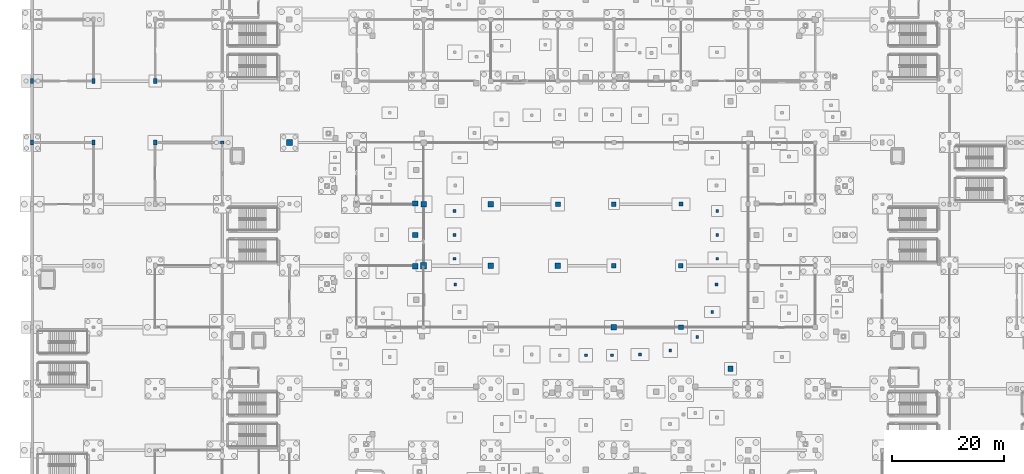
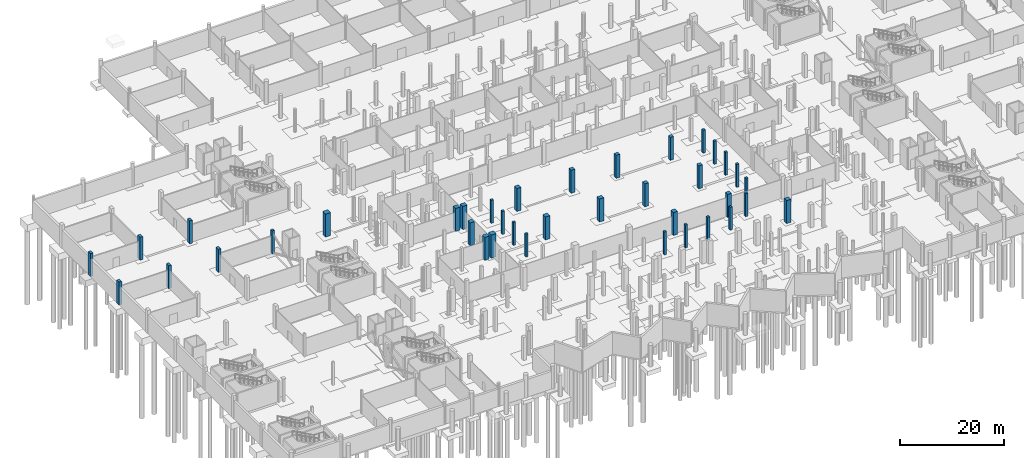
# One storey, part 14 of 60: 38 columns.
"""IFC4 building model written with IfcOpenShell, lengths in metres."""

import ifcopenshell
import ifcopenshell.guid

model = None  # the IFC model being written
_history = None  # IfcOwnerHistory: only IFC2X3 demands one
_inside = {}  # id of a spatial element -> (the spatial element, [elements in it])
_under = {}  # id of a project, library or spatial element -> (it, [spatial elements below it])
_declared = {}  # id of a project -> (the project, [libraries it declares])
_typed = {}  # id of a type object -> (the type object, [elements of that type])
_made_of = {}  # id of a material, layer set ... -> (it, [elements and type objects made of it])


def new_model(schema):
    """Start an empty IFC model of exactly this schema.

    Asked for "IFC4X3", IfcOpenShell would pick the latest addendum, in which some entities
    have other attributes; the version numbers below select the first issue.
    IFC2X3 requires an IfcOwnerHistory on every rooted entity: one is made here for all.
    """
    global model, _history
    if schema == "IFC4X3":
        model = ifcopenshell.file(schema_version=(4, 3, 0, 0))
    else:
        model = ifcopenshell.file(schema=schema)
    _inside.clear()
    _under.clear()
    _declared.clear()
    _typed.clear()
    _made_of.clear()
    _history = None
    if model.schema == "IFC2X3":
        org = make("IfcOrganization", Name="unknown")
        user = make(
            "IfcPersonAndOrganization",
            ThePerson=make("IfcPerson", FamilyName="unknown"),
            TheOrganization=org,
        )
        app = make(
            "IfcApplication",
            ApplicationDeveloper=org,
            Version="unknown",
            ApplicationFullName="unknown",
            ApplicationIdentifier="unknown",
        )
        _history = make(
            "IfcOwnerHistory",
            OwningUser=user,
            OwningApplication=app,
            ChangeAction="ADDED",
            CreationDate=0,
        )
    return model


def make(cls, **values):
    """One entity of the class cls with the attributes given. An attribute that is None is left unset."""
    return model.create_entity(
        cls, **{name: value for name, value in values.items() if value is not None}
    )


def rooted(cls, **values):
    """An entity with a GlobalId (a new one), such as an element, a storey or a relation."""
    return make(cls, GlobalId=ifcopenshell.guid.new(), OwnerHistory=_history, **values)


def si_unit(unit_type, name, prefix=None):
    """IfcSIUnit, for example si_unit("LENGTHUNIT", "METRE", prefix="MILLI")."""
    return make("IfcSIUnit", UnitType=unit_type, Prefix=prefix, Name=name)


def assignment(units):
    """IfcUnitAssignment: the units of a project."""
    return None if units is None else make("IfcUnitAssignment", Units=units)


def point(xyz):
    """IfcCartesianPoint."""
    return None if xyz is None else make("IfcCartesianPoint", Coordinates=xyz)


def direction(xyz):
    """IfcDirection."""
    return None if xyz is None else make("IfcDirection", DirectionRatios=xyz)


def frame(location, z_axis=None, x_axis=None):
    """IfcAxis2Placement3D, a coordinate frame: its origin and axes. An axis left out is left unset."""
    return make(
        "IfcAxis2Placement3D",
        Location=point(location),
        Axis=direction(z_axis),
        RefDirection=direction(x_axis),
    )


def frame_2d(location, x_axis=None):
    """IfcAxis2Placement2D, a coordinate frame in the plane: its origin and x axis."""
    return make(
        "IfcAxis2Placement2D", Location=point(location), RefDirection=direction(x_axis)
    )


def origin():
    """The frame at (0, 0, 0) with its axes left unset."""
    return frame((0.0, 0.0, 0.0))


def origin_2d():
    """The frame at (0, 0) in the plane with its x axis left unset."""
    return frame_2d((0.0, 0.0))


def place(relative_to, where):
    """IfcLocalPlacement: puts the frame where relative to a parent placement (None: the world)."""
    return make(
        "IfcLocalPlacement", PlacementRelTo=relative_to, RelativePlacement=where
    )


def context(
    kind, dimensions, precision=None, world=None, true_north=None, identifier=None
):
    """IfcGeometricRepresentationContext, for example the 3D "Model" context."""
    return make(
        "IfcGeometricRepresentationContext",
        ContextIdentifier=identifier,
        ContextType=kind,
        CoordinateSpaceDimension=dimensions,
        Precision=precision,
        WorldCoordinateSystem=world,
        TrueNorth=true_north,
    )


def subcontext(parent, identifier, kind, view, scale=None):
    """IfcGeometricRepresentationSubContext, for example "Body" below "Model"."""
    return make(
        "IfcGeometricRepresentationSubContext",
        ContextIdentifier=identifier,
        ContextType=kind,
        ParentContext=parent,
        TargetScale=scale,
        TargetView=view,
    )


def project(units=None, contexts=None):
    """IfcProject with its units and contexts."""
    return rooted(
        "IfcProject",
        Name="project",
        RepresentationContexts=contexts,
        UnitsInContext=assignment(units),
    )


def spatial(cls, under=None, at=None, **own):
    """A site, building, storey or space (cls), placed at a placement, below another one or the project."""
    s = rooted(cls, ObjectPlacement=at, **own)
    if under is not None:
        _under.setdefault(under.id(), (under, []))[1].append(s)
    return s


def profile(cls, at=None, kind="AREA", **sizes):
    """A parametric profile (cls). Its sizes go by their IFC names, for example OverallWidth=200.0."""
    return make(cls, ProfileType=kind, Position=at, **sizes)


def rectangle(**sizes):
    """IfcRectangleProfileDef."""
    return profile("IfcRectangleProfileDef", **sizes)


def extrude(swept, where, along, depth):
    """IfcExtrudedAreaSolid: the profile swept, set in the frame where, extruded along a direction by depth."""
    return make(
        "IfcExtrudedAreaSolid",
        SweptArea=swept,
        Position=where,
        ExtrudedDirection=direction(along),
        Depth=depth,
    )


def shape(context_of_items, identifier, shape_type, items):
    """IfcShapeRepresentation: the items that make up one representation, for example the "Body"."""
    return make(
        "IfcShapeRepresentation",
        ContextOfItems=context_of_items,
        RepresentationIdentifier=identifier,
        RepresentationType=shape_type,
        Items=items,
    )


def material(Name=None, Category=None):
    """IfcMaterial."""
    return make("IfcMaterial", Name=Name, Category=Category)


def material_profile(
    of_material, cross_section, Name=None, Category=None, Priority=None
):
    """IfcMaterialProfile: a cross section and its material."""
    return make(
        "IfcMaterialProfile",
        Name=Name,
        Material=of_material,
        Profile=cross_section,
        Priority=Priority,
        Category=Category,
    )


def profile_set(profiles, Name=None, composite=None):
    """IfcMaterialProfileSet."""
    return make(
        "IfcMaterialProfileSet",
        Name=Name,
        MaterialProfiles=profiles,
        CompositeProfile=composite,
    )


def made_of(thing, what):
    """Note that an element or type object is made of a material, layer set ...; save() writes the relation."""
    if what is not None:
        _made_of.setdefault(what.id(), (what, []))[1].append(thing)
    return thing


def type_object(cls, material=None, **own):
    """A type object (cls), such as IfcWallType, which elements share."""
    return made_of(rooted(cls, **own), material)


def element(
    cls,
    number,
    at=None,
    inside=None,
    cuts=None,
    type_object=None,
    material=None,
    context=None,
    identifier="Body",
    shape_type=None,
    held_by="IfcProductDefinitionShape",
    body=None,
    shapes=None,
    **own,
):
    """One element of the class cls, such as IfcWall. Its Tag is "e" and its number.

    at: its placement. inside: the storey or other place that contains it. cuts: it is an
    opening in that element (IfcRelVoidsElement). A single representation is given by context,
    identifier, shape_type and body (its items); several are given by shapes. held_by: the class
    of the entity that holds the representations. save() writes the other relations.
    """
    e = rooted(cls, Tag="e%d" % number, ObjectPlacement=at, **own)
    if body is not None:
        shapes = [shape(context, identifier, shape_type, body)]
    if shapes is not None:
        e.Representation = make(held_by, Representations=shapes)
    if inside is not None:
        _inside.setdefault(inside.id(), (inside, []))[1].append(e)
    if cuts is not None:
        rooted(
            "IfcRelVoidsElement", RelatingBuildingElement=cuts, RelatedOpeningElement=e
        )
    if type_object is not None:
        _typed.setdefault(type_object.id(), (type_object, []))[1].append(e)
    return made_of(e, material)


def aggregate(whole, parts):
    """IfcRelAggregates: a whole, such as a stair, and the parts it consists of."""
    return rooted("IfcRelAggregates", RelatingObject=whole, RelatedObjects=parts)


def save(model, path):
    """Write the relations noted so far, then the file.

    IfcRelAggregates (storeys below a building ...), IfcRelContainedInSpatialStructure (elements
    in a storey), IfcRelDefinesByType, IfcRelAssociatesMaterial and IfcRelDeclares: one each for
    every whole, place, type object, material and project.
    """
    for whole, parts in _under.values():
        aggregate(whole, parts)
    for where, things in _inside.values():
        rooted(
            "IfcRelContainedInSpatialStructure",
            RelatedElements=things,
            RelatingStructure=where,
        )
    for kind, things in _typed.values():
        rooted("IfcRelDefinesByType", RelatedObjects=things, RelatingType=kind)
    for what, things in _made_of.values():
        rooted("IfcRelAssociatesMaterial", RelatedObjects=things, RelatingMaterial=what)
    for by, libraries in _declared.values():
        rooted("IfcRelDeclares", RelatingContext=by, RelatedDefinitions=libraries)
    model.write(path)


model = new_model("IFC4")

# Units and contexts
model_context = context("Model", 3, precision=1e-05, world=origin(), true_north=direction((0.0, 1.0)))
body_context = subcontext(model_context, "Body", "Model", "MODEL_VIEW")
ifc_project = project(units=[si_unit("LENGTHUNIT", "METRE"), si_unit("AREAUNIT", "SQUARE_METRE"), si_unit("VOLUMEUNIT", "CUBIC_METRE"), si_unit("PLANEANGLEUNIT", "RADIAN"), si_unit("MASSUNIT", "GRAM", prefix="KILO")], contexts=[model_context])

# Site, building, storey
site_placement = place(None, origin())
site = spatial("IfcSite", under=ifc_project, at=site_placement, CompositionType="ELEMENT")
building_placement = place(site_placement, origin())
building = spatial("IfcBuilding", under=site, at=building_placement, Name="Luwafu Chhajja Arena", CompositionType="ELEMENT")
storey_placement = place(building_placement, frame((0.0, 0.0, -5.39990234375)))
storey = spatial("IfcBuildingStorey", under=building, at=storey_placement, Name="B1", CompositionType="ELEMENT", Elevation=-5.39990234375)

# Columns
ifc_material_1 = material(Name="Concrete C40/50", Category="concrete")
ifc_material_profile_1 = material_profile(ifc_material_1, rectangle(XDim=1.0, YDim=1.0, at=origin_2d()), Name="RC 1000x1000")
ifc_profile_set_1 = profile_set([ifc_material_profile_1], Name="Concrete C40/50")
column_type_1 = type_object("IfcColumnType", Name="Bowl Primary Column RC 1000", PredefinedType="COLUMN", material=ifc_profile_set_1)
for number, where, z_axis, x_axis, name in (
    (1, (70.0, 55.0, 0.0), (0.0, 0.0, 1.0), (1.0, 0.0, 0.0), "B1 Grid Column 7/F"),
    (2, (82.0, 44.0, 0.0), (0.0, 0.0, 1.0), (1.0, 0.0, 0.0), "B1 Grid Column 8/E"),
):
    element("IfcColumn", number, at=place(storey_placement, frame(where, z_axis=z_axis, x_axis=x_axis)), inside=storey, type_object=column_type_1, Name=name, PredefinedType="COLUMN", context=body_context, shape_type="SweptSolid", body=[
        extrude(rectangle(XDim=1.0, YDim=1.0, at=origin_2d()), origin(), (0.0, 0.0, 1.0), 5.39990234375),
    ])
ifc_material_profile_2 = material_profile(ifc_material_1, rectangle(XDim=0.949951171875, YDim=0.949951171875, at=origin_2d()), Name="RC 950x950")
ifc_profile_set_2 = profile_set([ifc_material_profile_2], Name="Concrete C40/50")
column_type_2 = type_object("IfcColumnType", Name="Bowl Raker Support Column RC 950", PredefinedType="COLUMN", material=ifc_profile_set_2)
for number, where, z_axis, x_axis, name in (
    (3, (82.0, 55.0, 0.0), (0.0, 0.0, 1.0), (1.0, 0.0, 0.0), "B1 Grid Column 8/F"),
    (4, (94.0, 44.0, 0.0), (0.0, 0.0, 1.0), (1.0, 0.0, 0.0), "B1 Grid Column 9/E"),
    (5, (104.0, 33.0, 0.0), (0.0, 0.0, 1.0), (1.0, 0.0, 0.0), "B1 Grid Column 10/D"),
    (6, (68.50830078125, 55.10791015625, 0.0), (0.0, 0.0, 1.0), (1.0, 0.0, 0.0), "B1 Upper Bowl Raker Column UI16"),
    (7, (68.5, 49.5, 0.0), (0.0, 0.0, 1.0), (1.0, 0.0, 0.0), "B1 Upper Bowl Raker Column UI17"),
    (8, (68.50830078125, 43.89208984375, 0.0), (0.0, 0.0, 1.0), (1.0, 0.0, 0.0), "B1 Upper Bowl Raker Column UI18"),
    (9, (124.85986328125, 25.590087890625, 0.0), (0.0, 0.0, 1.0), (1.0, 0.0, 0.0), "B1 Upper Bowl Raker Column UI29"),
):
    element("IfcColumn", number, at=place(storey_placement, frame(where, z_axis=z_axis, x_axis=x_axis)), inside=storey, type_object=column_type_2, Name=name, PredefinedType="COLUMN", context=body_context, shape_type="SweptSolid", body=[
        extrude(rectangle(XDim=0.949951171875, YDim=0.949951171875, at=origin_2d()), origin(), (0.0, 0.0, 1.0), 5.39990234375),
    ])
ifc_material_profile_3 = material_profile(ifc_material_1, rectangle(XDim=1.10009765625, YDim=1.10009765625, at=origin_2d()), Name="RC 1100x1100")
ifc_profile_set_3 = profile_set([ifc_material_profile_3], Name="Concrete C40/50")
column_type_3 = type_object("IfcColumnType", Name="Bowl Rim Mega Column RC 1100", PredefinedType="COLUMN", material=ifc_profile_set_3)
for number, where, z_axis, x_axis, name in (
    (10, (46.0, 66.0, 0.0), (0.0, 0.0, 1.0), (1.0, 0.0, 0.0), "B1 Grid Column 5/G"),
    (11, (70.0, 44.0, 0.0), (0.0, 0.0, 1.0), (1.0, 0.0, 0.0), "B1 Grid Column 7/E"),
):
    element("IfcColumn", number, at=place(storey_placement, frame(where, z_axis=z_axis, x_axis=x_axis)), inside=storey, type_object=column_type_3, Name=name, PredefinedType="COLUMN", context=body_context, shape_type="SweptSolid", body=[
        extrude(rectangle(XDim=1.10009765625, YDim=1.10009765625, at=origin_2d()), origin(), (0.0, 0.0, 1.0), 5.39990234375),
    ])
ifc_material_2 = material(Name="Concrete C35/45", Category="concrete")
ifc_material_profile_4 = material_profile(ifc_material_2, rectangle(XDim=0.85009765625, YDim=0.85009765625, at=origin_2d()), Name="RC 850x850")
ifc_profile_set_4 = profile_set([ifc_material_profile_4], Name="Concrete C35/45")
column_type_4 = type_object("IfcColumnType", Name="Concourse Heavy Column RC 850", PredefinedType="COLUMN", material=ifc_profile_set_4)
for number, where, z_axis, x_axis, name in (
    (12, (94.0, 55.0, 0.0), (0.0, 0.0, 1.0), (1.0, 0.0, 0.0), "B1 Grid Column 9/F"),
    (13, (104.0, 44.0, 0.0), (0.0, 0.0, 1.0), (1.0, 0.0, 0.0), "B1 Grid Column 10/E"),
    (14, (116.0, 33.0, 0.0), (0.0, 0.0, 1.0), (1.0, 0.0, 0.0), "B1 Grid Column 11/D"),
):
    element("IfcColumn", number, at=place(storey_placement, frame(where, z_axis=z_axis, x_axis=x_axis)), inside=storey, type_object=column_type_4, Name=name, PredefinedType="COLUMN", context=body_context, shape_type="SweptSolid", body=[
        extrude(rectangle(XDim=0.85009765625, YDim=0.85009765625, at=origin_2d()), origin(), (0.0, 0.0, 1.0), 5.39990234375),
    ])
ifc_material_profile_5 = material_profile(ifc_material_2, rectangle(XDim=0.800048828125, YDim=0.800048828125, at=origin_2d()), Name="RC 800x800")
ifc_profile_set_5 = profile_set([ifc_material_profile_5], Name="Concrete C35/45")
column_type_5 = type_object("IfcColumnType", Name="Concourse Standard Column RC 800", PredefinedType="COLUMN", material=ifc_profile_set_5)
for number, where, z_axis, x_axis, name in (
    (15, (104.0, 55.0, 0.0), (0.0, 0.0, 1.0), (1.0, 0.0, 0.0), "B1 Grid Column 10/F"),
    (16, (116.0, 44.0, 0.0), (0.0, 0.0, 1.0), (1.0, 0.0, 0.0), "B1 Grid Column 11/E"),
):
    element("IfcColumn", number, at=place(storey_placement, frame(where, z_axis=z_axis, x_axis=x_axis)), inside=storey, type_object=column_type_5, Name=name, PredefinedType="COLUMN", context=body_context, shape_type="SweptSolid", body=[
        extrude(rectangle(XDim=0.800048828125, YDim=0.800048828125, at=origin_2d()), origin(), (0.0, 0.0, 1.0), 5.39990234375),
    ])
ifc_material_profile_6 = material_profile(ifc_material_2, rectangle(XDim=0.550048828125, YDim=0.550048828125, at=origin_2d()), Name="RC 550x550")
ifc_profile_set_6 = profile_set([ifc_material_profile_6], Name="Concrete C35/45")
column_type_6 = type_object("IfcColumnType", Name="Gallery Column RC 550", PredefinedType="COLUMN", material=ifc_profile_set_6)
column_1_placement = place(storey_placement, frame((34.0, 66.0, 0.0), z_axis=(0.0, 0.0, 1.0), x_axis=(1.0, 0.0, 0.0)))
element("IfcColumn", 17, at=column_1_placement, inside=storey, type_object=column_type_6, Name="B1 Grid Column 4/G", PredefinedType="COLUMN", context=body_context, shape_type="SweptSolid", body=[
    extrude(rectangle(XDim=0.550048828125, YDim=0.550048828125, at=origin_2d()), origin(), (0.0, 0.0, 1.0), 5.39990234375),
])
ifc_material_profile_7 = material_profile(ifc_material_2, rectangle(XDim=0.75, YDim=0.75, at=origin_2d()), Name="RC 750x750")
ifc_profile_set_7 = profile_set([ifc_material_profile_7], Name="Concrete C35/45")
column_type_7 = type_object("IfcColumnType", Name="Hospitality Ring Column RC 750", PredefinedType="COLUMN", material=ifc_profile_set_7)
column_2_placement = place(storey_placement, frame((116.0, 55.0, 0.0), z_axis=(0.0, 0.0, 1.0), x_axis=(1.0, 0.0, 0.0)))
element("IfcColumn", 18, at=column_2_placement, inside=storey, type_object=column_type_7, Name="B1 Grid Column 11/F", PredefinedType="COLUMN", context=body_context, shape_type="SweptSolid", body=[
    extrude(rectangle(XDim=0.75, YDim=0.75, at=origin_2d()), origin(), (0.0, 0.0, 1.0), 5.39990234375),
])
ifc_material_profile_8 = material_profile(ifc_material_2, rectangle(XDim=0.5, YDim=0.5, at=origin_2d()), Name="RC 500x500")
ifc_profile_set_8 = profile_set([ifc_material_profile_8], Name="Concrete C35/45")
column_type_8 = type_object("IfcColumnType", Name="Pavilion Column RC 500", PredefinedType="COLUMN", material=ifc_profile_set_8)
for number, where, z_axis, x_axis, name in (
    (19, (122.5, 49.5, 0.0), (0.0, 0.0, 1.0), (1.0, 0.0, 0.0), "B1 Lower Bowl Support Column 01"),
    (20, (122.49365234375, 53.775390625, 0.0), (0.0, 0.0, 1.0), (1.0, 0.0, 0.0), "B1 Lower Bowl Support Column 02"),
    (21, (75.50634765625, 53.775390625, 0.0), (0.0, 0.0, 1.0), (1.0, 0.0, 0.0), "B1 Lower Bowl Support Column 16"),
    (22, (75.5, 49.5, 0.0), (0.0, 0.0, 1.0), (1.0, 0.0, 0.0), "B1 Lower Bowl Support Column 17"),
    (23, (75.50634765625, 45.224609375, 0.0), (0.0, 0.0, 1.0), (1.0, 0.0, 0.0), "B1 Lower Bowl Support Column 18"),
    (24, (75.635986328125, 40.64599609375, 0.0), (0.0, 0.0, 1.0), (1.0, 0.0, 0.0), "B1 Lower Bowl Support Column 19"),
    (25, (99.0, 28.0, 0.0), (0.0, 0.0, 1.0), (1.0, 0.0, 0.0), "B1 Lower Bowl Support Column 25"),
    (26, (103.673095703125, 28.005859375, 0.0), (0.0, 0.0, 1.0), (1.0, 0.0, 0.0), "B1 Lower Bowl Support Column 26"),
    (27, (108.677734375, 28.12451171875, 0.0), (0.0, 0.0, 1.0), (1.0, 0.0, 0.0), "B1 Lower Bowl Support Column 27"),
    (28, (114.08349609375, 28.846923828125, 0.0), (0.0, 0.0, 1.0), (1.0, 0.0, 0.0), "B1 Lower Bowl Support Column 28"),
    (29, (118.9248046875, 31.27099609375, 0.0), (0.0, 0.0, 1.0), (1.0, 0.0, 0.0), "B1 Lower Bowl Support Column 29"),
    (30, (121.57421875, 35.7001953125, 0.0), (0.0, 0.0, 1.0), (1.0, 0.0, 0.0), "B1 Lower Bowl Support Column 30"),
    (31, (122.364013671875, 40.64599609375, 0.0), (0.0, 0.0, 1.0), (1.0, 0.0, 0.0), "B1 Lower Bowl Support Column 31"),
    (32, (122.49365234375, 45.224609375, 0.0), (0.0, 0.0, 1.0), (1.0, 0.0, 0.0), "B1 Lower Bowl Support Column 32"),
):
    element("IfcColumn", number, at=place(storey_placement, frame(where, z_axis=z_axis, x_axis=x_axis)), inside=storey, type_object=column_type_8, Name=name, PredefinedType="COLUMN", context=body_context, shape_type="SweptSolid", body=[
        extrude(rectangle(XDim=0.5, YDim=0.5, at=origin_2d()), origin(), (0.0, 0.0, 1.0), 5.39990234375),
    ])
ifc_material_profile_9 = material_profile(ifc_material_1, rectangle(XDim=0.60009765625, YDim=0.89990234375, at=origin_2d()), Name="RC 600x900")
ifc_profile_set_9 = profile_set([ifc_material_profile_9], Name="Concrete C40/50")
column_type_9 = type_object("IfcColumnType", Name="Warm-Up Hall Portal Column RC 600x900", PredefinedType="COLUMN", material=ifc_profile_set_9)
for number, where, z_axis, x_axis, name in (
    (33, (0.0, 66.0, 0.0), (0.0, 0.0, 1.0), (1.0, 0.0, 0.0), "B1 Grid Column 1/G"),
    (34, (0.0, 77.0, 0.0), (0.0, 0.0, 1.0), (1.0, 0.0, 0.0), "B1 Grid Column 1/H"),
    (35, (11.0, 66.0, 0.0), (0.0, 0.0, 1.0), (1.0, 0.0, 0.0), "B1 Grid Column 2/G"),
    (36, (11.0, 77.0, 0.0), (0.0, 0.0, 1.0), (1.0, 0.0, 0.0), "B1 Grid Column 2/H"),
    (37, (22.0, 66.0, 0.0), (0.0, 0.0, 1.0), (1.0, 0.0, 0.0), "B1 Grid Column 3/G"),
    (38, (22.0, 77.0, 0.0), (0.0, 0.0, 1.0), (1.0, 0.0, 0.0), "B1 Grid Column 3/H"),
):
    element("IfcColumn", number, at=place(storey_placement, frame(where, z_axis=z_axis, x_axis=x_axis)), inside=storey, type_object=column_type_9, Name=name, PredefinedType="COLUMN", context=body_context, shape_type="SweptSolid", body=[
        extrude(rectangle(XDim=0.60009765625, YDim=0.89990234375, at=origin_2d()), origin(), (0.0, 0.0, 1.0), 5.39990234375),
    ])

save(model, "model.ifc")
